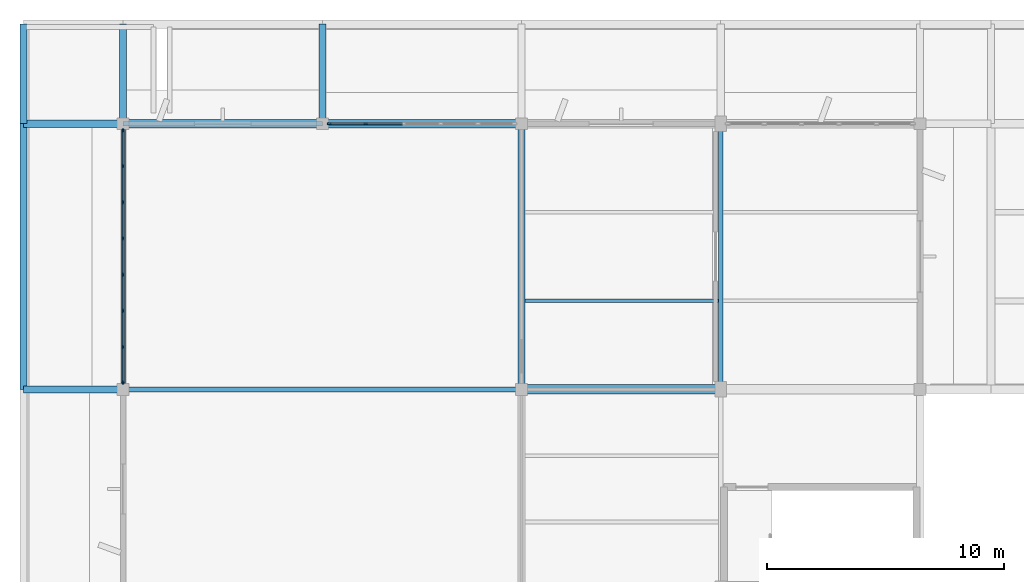
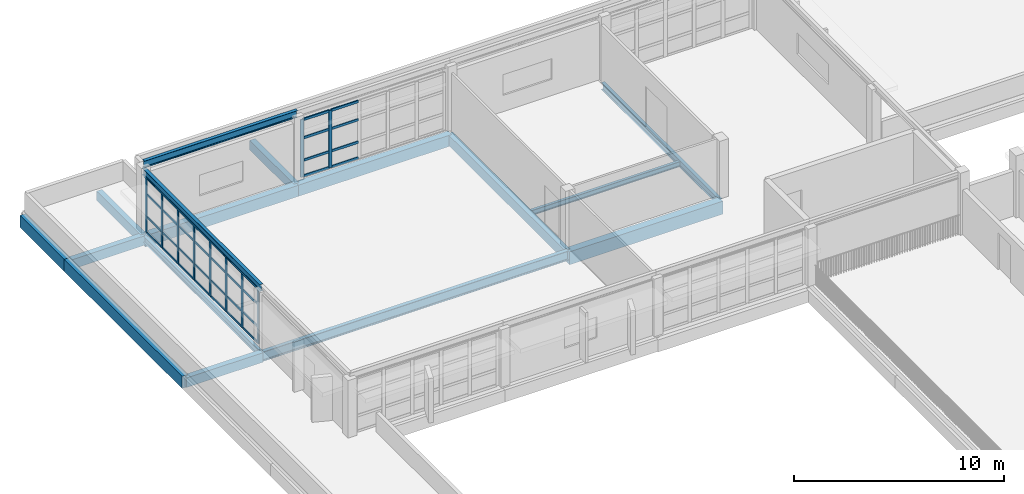
# One storey, part 32 of 92: 46 members, 16 beams, 2 elements without a shape of their own.
"""IFC4 building model written with IfcOpenShell, lengths in metres."""

from ifc_helpers import new_model, si_unit, direction, frame, origin, origin_2d, place, context, subcontext, project, spatial, rectangle, i_section, extrude, material, material_profile, profile_set, type_object, element, aggregate, save


model = new_model("IFC4")

# Units and contexts
model_context = context("Model", 3, precision=1e-05, world=origin(), true_north=direction((0.0, 1.0)))
body_context = subcontext(model_context, "Body", "Model", "MODEL_VIEW")
ifc_project = project(units=[si_unit("LENGTHUNIT", "METRE"), si_unit("AREAUNIT", "SQUARE_METRE"), si_unit("VOLUMEUNIT", "CUBIC_METRE"), si_unit("PLANEANGLEUNIT", "RADIAN"), si_unit("MASSUNIT", "GRAM", prefix="KILO")], contexts=[model_context])

# Site, building, storey
site_placement = place(None, origin())
site = spatial("IfcSite", under=ifc_project, at=site_placement, CompositionType="ELEMENT")
building_placement = place(site_placement, origin())
building = spatial("IfcBuilding", under=site, at=building_placement, Name="Vanh Quang Courtyard School", CompositionType="ELEMENT")
storey_placement = place(building_placement, frame((0.0, 0.0, 7.800048828125)))
storey = spatial("IfcBuildingStorey", under=building, at=storey_placement, Name="L02", CompositionType="ELEMENT", Elevation=7.800048828125)

# Beams
ifc_material_1 = material(Name="Concrete C35/45", Category="concrete")
ifc_material_profile_1 = material_profile(ifc_material_1, rectangle(XDim=0.300048828125, YDim=0.550048828125, at=origin_2d()), Name="RC-BM 300x550")
ifc_profile_set_1 = profile_set([ifc_material_profile_1], Name="Concrete C35/45")
beam_type_1 = type_object("IfcBeamType", Name="BM-RC-300x550", PredefinedType="BEAM", material=ifc_profile_set_1)
for number, where, z_axis, x_axis, name in (
    (1, (0.0, 96.60009765625, -0.554931640625), (1.0, 0.0, 0.0), (0.0, 1.0, 0.0), "Beam B-07 (L02)"),
    (2, (0.0, 107.800048828125, -0.554931640625), (1.0, 0.0, 0.0), (0.0, 1.0, 0.0), "Beam B-07 (L02)"),
    (3, (4.199951171875, 107.800048828125, -0.554931640625), (0.0, 1.0, 0.0), (-1.0, 0.0, 0.0), "Beam B-07 (L02)"),
    (4, (12.60009765625, 107.800048828125, -0.554931640625), (0.0, 1.0, 0.0), (-1.0, 0.0, 0.0), "Beam B-07 (L02)"),
):
    element("IfcBeam", number, at=place(storey_placement, frame(where, z_axis=z_axis, x_axis=x_axis)), inside=storey, type_object=beam_type_1, Name=name, PredefinedType="BEAM", context=body_context, shape_type="SweptSolid", body=[
        extrude(rectangle(XDim=0.300048828125, YDim=0.550048828125, at=origin_2d()), origin(), (0.0, 0.0, 1.0), 4.199951171875),
    ])
ifc_material_profile_2 = material_profile(ifc_material_1, rectangle(XDim=0.300048828125, YDim=0.60009765625, at=origin_2d()), Name="RC-BM 300x600")
ifc_profile_set_2 = profile_set([ifc_material_profile_2], Name="Concrete C35/45")
beam_type_2 = type_object("IfcBeamType", Name="BM-RC-300x600", PredefinedType="BEAM", material=ifc_profile_set_2)
beam_1_placement = place(storey_placement, frame((21.0, 96.60009765625, -0.580078125), z_axis=(0.0, 1.0, 0.0), x_axis=(-1.0, 0.0, 0.0)))
element("IfcBeam", 5, at=beam_1_placement, inside=storey, type_object=beam_type_2, Name="Beam B-06 (L02)", PredefinedType="BEAM", context=body_context, shape_type="SweptSolid", body=[
    extrude(rectangle(XDim=0.300048828125, YDim=0.60009765625, at=origin_2d()), origin(), (0.0, 0.0, 1.0), 11.199951171875),
])
ifc_material_profile_3 = material_profile(ifc_material_1, rectangle(XDim=0.35009765625, YDim=0.64990234375, at=origin_2d()), Name="RC-BM 350x650")
ifc_profile_set_3 = profile_set([ifc_material_profile_3], Name="Concrete C35/45")
beam_type_3 = type_object("IfcBeamType", Name="BM-RC-350x650", PredefinedType="BEAM", material=ifc_profile_set_3)
beam_2_placement = place(storey_placement, frame((4.199951171875, 107.800048828125, -0.60498046875), z_axis=(1.0, 0.0, 0.0), x_axis=(0.0, 1.0, 0.0)))
element("IfcBeam", 6, at=beam_2_placement, inside=storey, type_object=beam_type_3, Name="Beam B-05 (L02)", PredefinedType="BEAM", context=body_context, shape_type="SweptSolid", body=[
    extrude(rectangle(XDim=0.35009765625, YDim=0.64990234375, at=origin_2d()), origin(), (0.0, 0.0, 1.0), 8.400146484375),
])
beam_3_placement = place(storey_placement, frame((12.60009765625, 107.800048828125, -0.60498046875), z_axis=(1.0, 0.0, 0.0), x_axis=(0.0, 1.0, 0.0)))
element("IfcBeam", 7, at=beam_3_placement, inside=storey, type_object=beam_type_3, Name="Beam B-05 (L02)", PredefinedType="BEAM", context=body_context, shape_type="SweptSolid", body=[
    extrude(rectangle(XDim=0.35009765625, YDim=0.64990234375, at=origin_2d()), origin(), (0.0, 0.0, 1.0), 8.39990234375),
])
ifc_material_profile_4 = material_profile(ifc_material_1, rectangle(XDim=0.39990234375, YDim=0.75, at=origin_2d()), Name="RC-BM 400x750")
ifc_profile_set_4 = profile_set([ifc_material_profile_4], Name="Concrete C35/45")
beam_type_4 = type_object("IfcBeamType", Name="BM-RC-400x750", PredefinedType="BEAM", material=ifc_profile_set_4)
beam_4_placement = place(storey_placement, frame((21.0, 96.60009765625, -0.655029296875), z_axis=(1.0, 0.0, 0.0), x_axis=(0.0, 1.0, 0.0)))
element("IfcBeam", 8, at=beam_4_placement, inside=storey, type_object=beam_type_4, Name="Beam B-03 (L02)", PredefinedType="BEAM", context=body_context, shape_type="SweptSolid", body=[
    extrude(rectangle(XDim=0.39990234375, YDim=0.75, at=origin_2d()), origin(), (0.0, 0.0, 1.0), 8.39990234375),
])
ifc_material_profile_5 = material_profile(ifc_material_1, rectangle(XDim=0.300048828125, YDim=0.699951171875, at=origin_2d()), Name="RC-SP 300x700")
ifc_profile_set_5 = profile_set([ifc_material_profile_5], Name="Concrete C35/45")
beam_type_5 = type_object("IfcBeamType", Name="BM-SP-300x700", PredefinedType="SPANDREL", material=ifc_profile_set_5)
beam_5_placement = place(storey_placement, frame((0.0, 96.60009765625, -0.570068359375), z_axis=(0.0, 1.0, 0.0), x_axis=(-1.0, 0.0, 0.0)))
element("IfcBeam", 9, at=beam_5_placement, inside=storey, type_object=beam_type_5, Name="Beam BS-01 (L02)", PredefinedType="SPANDREL", context=body_context, shape_type="SweptSolid", body=[
    extrude(rectangle(XDim=0.300048828125, YDim=0.699951171875, at=origin_2d()), origin(), (0.0, 0.0, 1.0), 11.199951171875),
])
beam_6_placement = place(storey_placement, frame((0.0, 107.800048828125, -0.570068359375), z_axis=(0.0, 1.0, 0.0), x_axis=(-1.0, 0.0, 0.0)))
element("IfcBeam", 10, at=beam_6_placement, inside=storey, type_object=beam_type_5, Name="Beam BS-01 (L02)", PredefinedType="SPANDREL", context=body_context, shape_type="SweptSolid", body=[
    extrude(rectangle(XDim=0.300048828125, YDim=0.699951171875, at=origin_2d()), origin(), (0.0, 0.0, 1.0), 4.199951171875),
])
ifc_material_2 = material(Name="Structural steel EN 10025-2 S355J2", Category="steel")
ifc_material_profile_6 = material_profile(ifc_material_2, i_section(OverallWidth=0.169921875, OverallDepth=0.360107421875, WebThickness=0.008056640625, FlangeThickness=0.0126953125, FilletRadius=0.01806640625, at=origin_2d()), Name="IPE 360")
ifc_profile_set_6 = profile_set([ifc_material_profile_6], Name="Structural steel EN 10025-2 S355J2")
beam_type_6 = type_object("IfcBeamType", Name="BM-STL-IPE360", PredefinedType="BEAM", material=ifc_profile_set_6)
beam_7_placement = place(storey_placement, frame((4.199951171875, 96.60009765625, -0.4599609375), z_axis=(0.0, 1.0, 0.0), x_axis=(-1.0, 0.0, 0.0)))
element("IfcBeam", 11, at=beam_7_placement, inside=storey, type_object=beam_type_6, Name="Beam SB-06 (L02)", PredefinedType="BEAM", context=body_context, shape_type="SweptSolid", body=[
    extrude(i_section(OverallWidth=0.169921875, OverallDepth=0.360107421875, WebThickness=0.008056640625, FlangeThickness=0.0126953125, FilletRadius=0.01806640625, at=origin_2d()), origin(), (0.0, 0.0, 1.0), 11.199951171875),
])
ifc_material_profile_7 = material_profile(ifc_material_2, i_section(OverallWidth=0.179931640625, OverallDepth=0.39990234375, WebThickness=0.008544921875, FlangeThickness=0.013427734375, FilletRadius=0.02099609375, at=origin_2d()), Name="IPE 400")
ifc_profile_set_7 = profile_set([ifc_material_profile_7], Name="Structural steel EN 10025-2 S355J2")
beam_type_7 = type_object("IfcBeamType", Name="BM-STL-IPE400", PredefinedType="BEAM", material=ifc_profile_set_7)
beam_8_placement = place(storey_placement, frame((29.39990234375, 96.60009765625, -0.47998046875), z_axis=(0.0, 1.0, 0.0), x_axis=(-1.0, 0.0, 0.0)))
element("IfcBeam", 12, at=beam_8_placement, inside=storey, type_object=beam_type_7, Name="Beam SB-05 (L02)", PredefinedType="BEAM", context=body_context, shape_type="SweptSolid", body=[
    extrude(i_section(OverallWidth=0.179931640625, OverallDepth=0.39990234375, WebThickness=0.008544921875, FlangeThickness=0.013427734375, FilletRadius=0.02099609375, at=origin_2d()), origin(), (0.0, 0.0, 1.0), 11.199951171875),
])
beam_9_placement = place(storey_placement, frame((4.199951171875, 107.800048828125, 3.800048828125), z_axis=(1.0, 0.0, 0.0), x_axis=(0.0, 1.0, 0.0)))
element("IfcBeam", 13, at=beam_9_placement, inside=storey, type_object=beam_type_7, Name="Beam SB-05 (L02)", PredefinedType="BEAM", context=body_context, shape_type="SweptSolid", body=[
    extrude(i_section(OverallWidth=0.179931640625, OverallDepth=0.39990234375, WebThickness=0.008544921875, FlangeThickness=0.013427734375, FilletRadius=0.02099609375, at=origin_2d()), origin(), (0.0, 0.0, 1.0), 8.400146484375),
])
beam_10_placement = place(storey_placement, frame((4.199951171875, 96.60009765625, 3.39990234375), z_axis=(0.0, 1.0, 0.0), x_axis=(-1.0, 0.0, 0.0)))
element("IfcBeam", 14, at=beam_10_placement, inside=storey, type_object=beam_type_7, Name="Beam SB-05 (L02)", PredefinedType="BEAM", context=body_context, shape_type="SweptSolid", body=[
    extrude(i_section(OverallWidth=0.179931640625, OverallDepth=0.39990234375, WebThickness=0.008544921875, FlangeThickness=0.013427734375, FilletRadius=0.02099609375, at=origin_2d()), origin(), (0.0, 0.0, 1.0), 11.199951171875),
])
ifc_material_profile_8 = material_profile(ifc_material_2, i_section(OverallWidth=0.2099609375, OverallDepth=0.550048828125, WebThickness=0.010986328125, FlangeThickness=0.01708984375, FilletRadius=0.02392578125, at=origin_2d()), Name="IPE 550")
ifc_profile_set_8 = profile_set([ifc_material_profile_8], Name="Structural steel EN 10025-2 S355J2")
beam_type_8 = type_object("IfcBeamType", Name="BM-STL-IPE550", PredefinedType="BEAM", material=ifc_profile_set_8)
beam_11_placement = place(storey_placement, frame((4.199951171875, 96.60009765625, -0.554931640625), z_axis=(1.0, 0.0, 0.0), x_axis=(0.0, 1.0, 0.0)))
element("IfcBeam", 15, at=beam_11_placement, inside=storey, type_object=beam_type_8, Name="Beam SB-02 (L02)", PredefinedType="BEAM", context=body_context, shape_type="SweptSolid", body=[
    extrude(i_section(OverallWidth=0.2099609375, OverallDepth=0.550048828125, WebThickness=0.010986328125, FlangeThickness=0.01708984375, FilletRadius=0.02392578125, at=origin_2d()), origin(), (0.0, 0.0, 1.0), 16.800048828125),
])

# Curtain wall, members
ifc_material_3 = material(Name="Thermally broken aluminium unitised curtain wall", Category="aluminium")
curtain_wall_type_1 = type_object("IfcCurtainWallType", Name="CW-SYS-57", PredefinedType="NOTDEFINED", material=ifc_material_3)
curtain_wall_1_placement = place(storey_placement, origin())
curtain_wall_1 = element("IfcCurtainWall", 16, at=curtain_wall_1_placement, inside=storey, type_object=curtain_wall_type_1, Name="Curtain Wall CW-57 (L02)", PredefinedType="NOTDEFINED")
ifc_material_4 = material(Name="Anodised aluminium 6063-T6", Category="aluminium")
ifc_material_profile_9 = material_profile(ifc_material_4, rectangle(XDim=0.06005859375, YDim=0.159912109375, at=origin_2d()), Name="ALU-MUL 60x160")
ifc_profile_set_9 = profile_set([ifc_material_profile_9], Name="Anodised aluminium 6063-T6")
member_type_1 = type_object("IfcMemberType", Name="CW-MUL-60x160", PredefinedType="MULLION", material=ifc_profile_set_9)
member_1_placement = place(storey_placement, frame((4.199951171875, 96.887939453125, 0.0), z_axis=(0.0, 0.0, 1.0), x_axis=(-1.0, 0.0, 0.0)))
member_1 = element("IfcMember", 17, at=member_1_placement, type_object=member_type_1, Name="CW-57 mullion 1", PredefinedType="MULLION", context=body_context, shape_type="SweptSolid", body=[
    extrude(rectangle(XDim=0.06005859375, YDim=0.159912109375, at=origin_2d()), origin(), (0.0, 0.0, 1.0), 3.199951171875),
])
member_2_placement = place(storey_placement, frame((4.199951171875, 98.38427734375, 0.0), z_axis=(0.0, 0.0, 1.0), x_axis=(-1.0, 0.0, 0.0)))
member_2 = element("IfcMember", 18, at=member_2_placement, type_object=member_type_1, Name="CW-57 mullion 2", PredefinedType="MULLION", context=body_context, shape_type="SweptSolid", body=[
    extrude(rectangle(XDim=0.06005859375, YDim=0.159912109375, at=origin_2d()), origin(), (0.0, 0.0, 1.0), 3.199951171875),
])
member_3_placement = place(storey_placement, frame((4.199951171875, 99.91064453125, 0.0), z_axis=(0.0, 0.0, 1.0), x_axis=(-1.0, 0.0, 0.0)))
member_3 = element("IfcMember", 19, at=member_3_placement, type_object=member_type_1, Name="CW-57 mullion 3", PredefinedType="MULLION", context=body_context, shape_type="SweptSolid", body=[
    extrude(rectangle(XDim=0.06005859375, YDim=0.159912109375, at=origin_2d()), origin(), (0.0, 0.0, 1.0), 3.199951171875),
])
member_4_placement = place(storey_placement, frame((4.199951171875, 101.436767578125, 0.0), z_axis=(0.0, 0.0, 1.0), x_axis=(-1.0, 0.0, 0.0)))
member_4 = element("IfcMember", 20, at=member_4_placement, type_object=member_type_1, Name="CW-57 mullion 4", PredefinedType="MULLION", context=body_context, shape_type="SweptSolid", body=[
    extrude(rectangle(XDim=0.06005859375, YDim=0.159912109375, at=origin_2d()), origin(), (0.0, 0.0, 1.0), 3.199951171875),
])
member_5_placement = place(storey_placement, frame((4.199951171875, 102.963134765625, 0.0), z_axis=(0.0, 0.0, 1.0), x_axis=(-1.0, 0.0, 0.0)))
member_5 = element("IfcMember", 21, at=member_5_placement, type_object=member_type_1, Name="CW-57 mullion 5", PredefinedType="MULLION", context=body_context, shape_type="SweptSolid", body=[
    extrude(rectangle(XDim=0.06005859375, YDim=0.159912109375, at=origin_2d()), origin(), (0.0, 0.0, 1.0), 3.199951171875),
])
member_6_placement = place(storey_placement, frame((4.199951171875, 104.489501953125, 0.0), z_axis=(0.0, 0.0, 1.0), x_axis=(-1.0, 0.0, 0.0)))
member_6 = element("IfcMember", 22, at=member_6_placement, type_object=member_type_1, Name="CW-57 mullion 6", PredefinedType="MULLION", context=body_context, shape_type="SweptSolid", body=[
    extrude(rectangle(XDim=0.06005859375, YDim=0.159912109375, at=origin_2d()), origin(), (0.0, 0.0, 1.0), 3.199951171875),
])
member_7_placement = place(storey_placement, frame((4.199951171875, 106.015625, 0.0), z_axis=(0.0, 0.0, 1.0), x_axis=(-1.0, 0.0, 0.0)))
member_7 = element("IfcMember", 23, at=member_7_placement, type_object=member_type_1, Name="CW-57 mullion 7", PredefinedType="MULLION", context=body_context, shape_type="SweptSolid", body=[
    extrude(rectangle(XDim=0.06005859375, YDim=0.159912109375, at=origin_2d()), origin(), (0.0, 0.0, 1.0), 3.199951171875),
])
member_8_placement = place(storey_placement, frame((4.199951171875, 107.511962890625, 0.0), z_axis=(0.0, 0.0, 1.0), x_axis=(-1.0, 0.0, 0.0)))
member_8 = element("IfcMember", 24, at=member_8_placement, type_object=member_type_1, Name="CW-57 mullion 8", PredefinedType="MULLION", context=body_context, shape_type="SweptSolid", body=[
    extrude(rectangle(XDim=0.06005859375, YDim=0.159912109375, at=origin_2d()), origin(), (0.0, 0.0, 1.0), 3.199951171875),
])

curtain_wall_type_2 = type_object("IfcCurtainWallType", Name="CW-SYS-58", PredefinedType="NOTDEFINED", material=ifc_material_3)
curtain_wall_2_placement = place(storey_placement, origin())
curtain_wall_2 = element("IfcCurtainWall", 25, at=curtain_wall_2_placement, inside=storey, type_object=curtain_wall_type_2, Name="Curtain Wall CW-58 (L02)", PredefinedType="NOTDEFINED")
ifc_material_profile_10 = material_profile(ifc_material_4, rectangle(XDim=0.070068359375, YDim=0.179931640625, at=origin_2d()), Name="ALU-MUL 70x180")
ifc_profile_set_10 = profile_set([ifc_material_profile_10], Name="Anodised aluminium 6063-T6")
member_type_2 = type_object("IfcMemberType", Name="CW-MUL-70x180", PredefinedType="MULLION", material=ifc_profile_set_10)
member_9_placement = place(storey_placement, frame((12.89306640625, 107.800048828125, 0.0), z_axis=(0.0, 0.0, 1.0), x_axis=(0.0, 1.0, 0.0)))
member_9 = element("IfcMember", 26, at=member_9_placement, type_object=member_type_2, Name="CW-58 mullion 1", PredefinedType="MULLION", context=body_context, shape_type="SweptSolid", body=[
    extrude(rectangle(XDim=0.070068359375, YDim=0.179931640625, at=origin_2d()), origin(), (0.0, 0.0, 1.0), 3.33984375),
])
member_10_placement = place(storey_placement, frame((14.434814453125, 107.800048828125, 0.0), z_axis=(0.0, 0.0, 1.0), x_axis=(0.0, 1.0, 0.0)))
member_10 = element("IfcMember", 27, at=member_10_placement, type_object=member_type_2, Name="CW-58 mullion 2", PredefinedType="MULLION", context=body_context, shape_type="SweptSolid", body=[
    extrude(rectangle(XDim=0.070068359375, YDim=0.179931640625, at=origin_2d()), origin(), (0.0, 0.0, 1.0), 3.33984375),
])

# Member
ifc_material_profile_11 = material_profile(ifc_material_4, rectangle(XDim=0.06005859375, YDim=0.1201171875, at=origin_2d()), Name="ALU-TRN 60x120")
ifc_profile_set_11 = profile_set([ifc_material_profile_11], Name="Anodised aluminium 6063-T6")
member_type_3 = type_object("IfcMemberType", Name="CW-TRN-60x120", PredefinedType="USERDEFINED", material=ifc_profile_set_11)
member_11_placement = place(storey_placement, frame((4.199951171875, 96.91796875, 0.030029296875), z_axis=(0.0, 1.0, 0.0), x_axis=(-1.0, 0.0, 0.0)))
member_11 = element("IfcMember", 28, at=member_11_placement, type_object=member_type_3, Name="CW-57 transom 1.1", ObjectType="TRANSOM", PredefinedType="USERDEFINED", context=body_context, shape_type="SweptSolid", body=[
    extrude(rectangle(XDim=0.06005859375, YDim=0.1201171875, at=origin_2d()), origin(), (0.0, 0.0, 1.0), 1.436279296875),
])

member_12_placement = place(storey_placement, frame((4.199951171875, 96.91796875, 0.949951171875), z_axis=(0.0, 1.0, 0.0), x_axis=(-1.0, 0.0, 0.0)))
member_12 = element("IfcMember", 29, at=member_12_placement, type_object=member_type_3, Name="CW-57 transom 1.2", ObjectType="TRANSOM", PredefinedType="USERDEFINED", context=body_context, shape_type="SweptSolid", body=[
    extrude(rectangle(XDim=0.06005859375, YDim=0.1201171875, at=origin_2d()), origin(), (0.0, 0.0, 1.0), 1.436279296875),
])

member_13_placement = place(storey_placement, frame((4.199951171875, 96.91796875, 2.25), z_axis=(0.0, 1.0, 0.0), x_axis=(-1.0, 0.0, 0.0)))
member_13 = element("IfcMember", 30, at=member_13_placement, type_object=member_type_3, Name="CW-57 transom 1.3", ObjectType="TRANSOM", PredefinedType="USERDEFINED", context=body_context, shape_type="SweptSolid", body=[
    extrude(rectangle(XDim=0.06005859375, YDim=0.1201171875, at=origin_2d()), origin(), (0.0, 0.0, 1.0), 1.436279296875),
])

member_14_placement = place(storey_placement, frame((4.199951171875, 96.91796875, 3.169921875), z_axis=(0.0, 1.0, 0.0), x_axis=(-1.0, 0.0, 0.0)))
member_14 = element("IfcMember", 31, at=member_14_placement, type_object=member_type_3, Name="CW-57 transom 1.4", ObjectType="TRANSOM", PredefinedType="USERDEFINED", context=body_context, shape_type="SweptSolid", body=[
    extrude(rectangle(XDim=0.06005859375, YDim=0.1201171875, at=origin_2d()), origin(), (0.0, 0.0, 1.0), 1.436279296875),
])

member_15_placement = place(storey_placement, frame((4.199951171875, 98.414306640625, 0.030029296875), z_axis=(0.0, 1.0, 0.0), x_axis=(-1.0, 0.0, 0.0)))
member_15 = element("IfcMember", 32, at=member_15_placement, type_object=member_type_3, Name="CW-57 transom 2.1", ObjectType="TRANSOM", PredefinedType="USERDEFINED", context=body_context, shape_type="SweptSolid", body=[
    extrude(rectangle(XDim=0.06005859375, YDim=0.1201171875, at=origin_2d()), origin(), (0.0, 0.0, 1.0), 1.46630859375),
])

member_16_placement = place(storey_placement, frame((4.199951171875, 98.414306640625, 0.949951171875), z_axis=(0.0, 1.0, 0.0), x_axis=(-1.0, 0.0, 0.0)))
member_16 = element("IfcMember", 33, at=member_16_placement, type_object=member_type_3, Name="CW-57 transom 2.2", ObjectType="TRANSOM", PredefinedType="USERDEFINED", context=body_context, shape_type="SweptSolid", body=[
    extrude(rectangle(XDim=0.06005859375, YDim=0.1201171875, at=origin_2d()), origin(), (0.0, 0.0, 1.0), 1.46630859375),
])

member_17_placement = place(storey_placement, frame((4.199951171875, 98.414306640625, 2.25), z_axis=(0.0, 1.0, 0.0), x_axis=(-1.0, 0.0, 0.0)))
member_17 = element("IfcMember", 34, at=member_17_placement, type_object=member_type_3, Name="CW-57 transom 2.3", ObjectType="TRANSOM", PredefinedType="USERDEFINED", context=body_context, shape_type="SweptSolid", body=[
    extrude(rectangle(XDim=0.06005859375, YDim=0.1201171875, at=origin_2d()), origin(), (0.0, 0.0, 1.0), 1.46630859375),
])

member_18_placement = place(storey_placement, frame((4.199951171875, 98.414306640625, 3.169921875), z_axis=(0.0, 1.0, 0.0), x_axis=(-1.0, 0.0, 0.0)))
member_18 = element("IfcMember", 35, at=member_18_placement, type_object=member_type_3, Name="CW-57 transom 2.4", ObjectType="TRANSOM", PredefinedType="USERDEFINED", context=body_context, shape_type="SweptSolid", body=[
    extrude(rectangle(XDim=0.06005859375, YDim=0.1201171875, at=origin_2d()), origin(), (0.0, 0.0, 1.0), 1.46630859375),
])

member_19_placement = place(storey_placement, frame((4.199951171875, 99.940673828125, 0.030029296875), z_axis=(0.0, 1.0, 0.0), x_axis=(-1.0, 0.0, 0.0)))
member_19 = element("IfcMember", 36, at=member_19_placement, type_object=member_type_3, Name="CW-57 transom 3.1", ObjectType="TRANSOM", PredefinedType="USERDEFINED", context=body_context, shape_type="SweptSolid", body=[
    extrude(rectangle(XDim=0.06005859375, YDim=0.1201171875, at=origin_2d()), origin(), (0.0, 0.0, 1.0), 1.466064453125),
])

member_20_placement = place(storey_placement, frame((4.199951171875, 99.940673828125, 0.949951171875), z_axis=(0.0, 1.0, 0.0), x_axis=(-1.0, 0.0, 0.0)))
member_20 = element("IfcMember", 37, at=member_20_placement, type_object=member_type_3, Name="CW-57 transom 3.2", ObjectType="TRANSOM", PredefinedType="USERDEFINED", context=body_context, shape_type="SweptSolid", body=[
    extrude(rectangle(XDim=0.06005859375, YDim=0.1201171875, at=origin_2d()), origin(), (0.0, 0.0, 1.0), 1.466064453125),
])

member_21_placement = place(storey_placement, frame((4.199951171875, 99.940673828125, 2.25), z_axis=(0.0, 1.0, 0.0), x_axis=(-1.0, 0.0, 0.0)))
member_21 = element("IfcMember", 38, at=member_21_placement, type_object=member_type_3, Name="CW-57 transom 3.3", ObjectType="TRANSOM", PredefinedType="USERDEFINED", context=body_context, shape_type="SweptSolid", body=[
    extrude(rectangle(XDim=0.06005859375, YDim=0.1201171875, at=origin_2d()), origin(), (0.0, 0.0, 1.0), 1.466064453125),
])

member_22_placement = place(storey_placement, frame((4.199951171875, 99.940673828125, 3.169921875), z_axis=(0.0, 1.0, 0.0), x_axis=(-1.0, 0.0, 0.0)))
member_22 = element("IfcMember", 39, at=member_22_placement, type_object=member_type_3, Name="CW-57 transom 3.4", ObjectType="TRANSOM", PredefinedType="USERDEFINED", context=body_context, shape_type="SweptSolid", body=[
    extrude(rectangle(XDim=0.06005859375, YDim=0.1201171875, at=origin_2d()), origin(), (0.0, 0.0, 1.0), 1.466064453125),
])

member_23_placement = place(storey_placement, frame((4.199951171875, 101.466796875, 0.030029296875), z_axis=(0.0, 1.0, 0.0), x_axis=(-1.0, 0.0, 0.0)))
member_23 = element("IfcMember", 40, at=member_23_placement, type_object=member_type_3, Name="CW-57 transom 4.1", ObjectType="TRANSOM", PredefinedType="USERDEFINED", context=body_context, shape_type="SweptSolid", body=[
    extrude(rectangle(XDim=0.06005859375, YDim=0.1201171875, at=origin_2d()), origin(), (0.0, 0.0, 1.0), 1.46630859375),
])

member_24_placement = place(storey_placement, frame((4.199951171875, 101.466796875, 0.949951171875), z_axis=(0.0, 1.0, 0.0), x_axis=(-1.0, 0.0, 0.0)))
member_24 = element("IfcMember", 41, at=member_24_placement, type_object=member_type_3, Name="CW-57 transom 4.2", ObjectType="TRANSOM", PredefinedType="USERDEFINED", context=body_context, shape_type="SweptSolid", body=[
    extrude(rectangle(XDim=0.06005859375, YDim=0.1201171875, at=origin_2d()), origin(), (0.0, 0.0, 1.0), 1.46630859375),
])

member_25_placement = place(storey_placement, frame((4.199951171875, 101.466796875, 2.25), z_axis=(0.0, 1.0, 0.0), x_axis=(-1.0, 0.0, 0.0)))
member_25 = element("IfcMember", 42, at=member_25_placement, type_object=member_type_3, Name="CW-57 transom 4.3", ObjectType="TRANSOM", PredefinedType="USERDEFINED", context=body_context, shape_type="SweptSolid", body=[
    extrude(rectangle(XDim=0.06005859375, YDim=0.1201171875, at=origin_2d()), origin(), (0.0, 0.0, 1.0), 1.46630859375),
])

member_26_placement = place(storey_placement, frame((4.199951171875, 101.466796875, 3.169921875), z_axis=(0.0, 1.0, 0.0), x_axis=(-1.0, 0.0, 0.0)))
member_26 = element("IfcMember", 43, at=member_26_placement, type_object=member_type_3, Name="CW-57 transom 4.4", ObjectType="TRANSOM", PredefinedType="USERDEFINED", context=body_context, shape_type="SweptSolid", body=[
    extrude(rectangle(XDim=0.06005859375, YDim=0.1201171875, at=origin_2d()), origin(), (0.0, 0.0, 1.0), 1.46630859375),
])

member_27_placement = place(storey_placement, frame((4.199951171875, 102.9931640625, 0.030029296875), z_axis=(0.0, 1.0, 0.0), x_axis=(-1.0, 0.0, 0.0)))
member_27 = element("IfcMember", 44, at=member_27_placement, type_object=member_type_3, Name="CW-57 transom 5.1", ObjectType="TRANSOM", PredefinedType="USERDEFINED", context=body_context, shape_type="SweptSolid", body=[
    extrude(rectangle(XDim=0.06005859375, YDim=0.1201171875, at=origin_2d()), origin(), (0.0, 0.0, 1.0), 1.46630859375),
])

member_28_placement = place(storey_placement, frame((4.199951171875, 102.9931640625, 0.949951171875), z_axis=(0.0, 1.0, 0.0), x_axis=(-1.0, 0.0, 0.0)))
member_28 = element("IfcMember", 45, at=member_28_placement, type_object=member_type_3, Name="CW-57 transom 5.2", ObjectType="TRANSOM", PredefinedType="USERDEFINED", context=body_context, shape_type="SweptSolid", body=[
    extrude(rectangle(XDim=0.06005859375, YDim=0.1201171875, at=origin_2d()), origin(), (0.0, 0.0, 1.0), 1.46630859375),
])

member_29_placement = place(storey_placement, frame((4.199951171875, 102.9931640625, 2.25), z_axis=(0.0, 1.0, 0.0), x_axis=(-1.0, 0.0, 0.0)))
member_29 = element("IfcMember", 46, at=member_29_placement, type_object=member_type_3, Name="CW-57 transom 5.3", ObjectType="TRANSOM", PredefinedType="USERDEFINED", context=body_context, shape_type="SweptSolid", body=[
    extrude(rectangle(XDim=0.06005859375, YDim=0.1201171875, at=origin_2d()), origin(), (0.0, 0.0, 1.0), 1.46630859375),
])

member_30_placement = place(storey_placement, frame((4.199951171875, 102.9931640625, 3.169921875), z_axis=(0.0, 1.0, 0.0), x_axis=(-1.0, 0.0, 0.0)))
member_30 = element("IfcMember", 47, at=member_30_placement, type_object=member_type_3, Name="CW-57 transom 5.4", ObjectType="TRANSOM", PredefinedType="USERDEFINED", context=body_context, shape_type="SweptSolid", body=[
    extrude(rectangle(XDim=0.06005859375, YDim=0.1201171875, at=origin_2d()), origin(), (0.0, 0.0, 1.0), 1.46630859375),
])

member_31_placement = place(storey_placement, frame((4.199951171875, 104.51953125, 0.030029296875), z_axis=(0.0, 1.0, 0.0), x_axis=(-1.0, 0.0, 0.0)))
member_31 = element("IfcMember", 48, at=member_31_placement, type_object=member_type_3, Name="CW-57 transom 6.1", ObjectType="TRANSOM", PredefinedType="USERDEFINED", context=body_context, shape_type="SweptSolid", body=[
    extrude(rectangle(XDim=0.06005859375, YDim=0.1201171875, at=origin_2d()), origin(), (0.0, 0.0, 1.0), 1.466064453125),
])

member_32_placement = place(storey_placement, frame((4.199951171875, 104.51953125, 0.949951171875), z_axis=(0.0, 1.0, 0.0), x_axis=(-1.0, 0.0, 0.0)))
member_32 = element("IfcMember", 49, at=member_32_placement, type_object=member_type_3, Name="CW-57 transom 6.2", ObjectType="TRANSOM", PredefinedType="USERDEFINED", context=body_context, shape_type="SweptSolid", body=[
    extrude(rectangle(XDim=0.06005859375, YDim=0.1201171875, at=origin_2d()), origin(), (0.0, 0.0, 1.0), 1.466064453125),
])

member_33_placement = place(storey_placement, frame((4.199951171875, 104.51953125, 2.25), z_axis=(0.0, 1.0, 0.0), x_axis=(-1.0, 0.0, 0.0)))
member_33 = element("IfcMember", 50, at=member_33_placement, type_object=member_type_3, Name="CW-57 transom 6.3", ObjectType="TRANSOM", PredefinedType="USERDEFINED", context=body_context, shape_type="SweptSolid", body=[
    extrude(rectangle(XDim=0.06005859375, YDim=0.1201171875, at=origin_2d()), origin(), (0.0, 0.0, 1.0), 1.466064453125),
])

member_34_placement = place(storey_placement, frame((4.199951171875, 104.51953125, 3.169921875), z_axis=(0.0, 1.0, 0.0), x_axis=(-1.0, 0.0, 0.0)))
member_34 = element("IfcMember", 51, at=member_34_placement, type_object=member_type_3, Name="CW-57 transom 6.4", ObjectType="TRANSOM", PredefinedType="USERDEFINED", context=body_context, shape_type="SweptSolid", body=[
    extrude(rectangle(XDim=0.06005859375, YDim=0.1201171875, at=origin_2d()), origin(), (0.0, 0.0, 1.0), 1.466064453125),
])

member_35_placement = place(storey_placement, frame((4.199951171875, 106.045654296875, 0.030029296875), z_axis=(0.0, 1.0, 0.0), x_axis=(-1.0, 0.0, 0.0)))
member_35 = element("IfcMember", 52, at=member_35_placement, type_object=member_type_3, Name="CW-57 transom 7.1", ObjectType="TRANSOM", PredefinedType="USERDEFINED", context=body_context, shape_type="SweptSolid", body=[
    extrude(rectangle(XDim=0.06005859375, YDim=0.1201171875, at=origin_2d()), origin(), (0.0, 0.0, 1.0), 1.436279296875),
])

member_36_placement = place(storey_placement, frame((4.199951171875, 106.045654296875, 0.949951171875), z_axis=(0.0, 1.0, 0.0), x_axis=(-1.0, 0.0, 0.0)))
member_36 = element("IfcMember", 53, at=member_36_placement, type_object=member_type_3, Name="CW-57 transom 7.2", ObjectType="TRANSOM", PredefinedType="USERDEFINED", context=body_context, shape_type="SweptSolid", body=[
    extrude(rectangle(XDim=0.06005859375, YDim=0.1201171875, at=origin_2d()), origin(), (0.0, 0.0, 1.0), 1.436279296875),
])

member_37_placement = place(storey_placement, frame((4.199951171875, 106.045654296875, 2.25), z_axis=(0.0, 1.0, 0.0), x_axis=(-1.0, 0.0, 0.0)))
member_37 = element("IfcMember", 54, at=member_37_placement, type_object=member_type_3, Name="CW-57 transom 7.3", ObjectType="TRANSOM", PredefinedType="USERDEFINED", context=body_context, shape_type="SweptSolid", body=[
    extrude(rectangle(XDim=0.06005859375, YDim=0.1201171875, at=origin_2d()), origin(), (0.0, 0.0, 1.0), 1.436279296875),
])

member_38_placement = place(storey_placement, frame((4.199951171875, 106.045654296875, 3.169921875), z_axis=(0.0, 1.0, 0.0), x_axis=(-1.0, 0.0, 0.0)))
member_38 = element("IfcMember", 55, at=member_38_placement, type_object=member_type_3, Name="CW-57 transom 7.4", ObjectType="TRANSOM", PredefinedType="USERDEFINED", context=body_context, shape_type="SweptSolid", body=[
    extrude(rectangle(XDim=0.06005859375, YDim=0.1201171875, at=origin_2d()), origin(), (0.0, 0.0, 1.0), 1.436279296875),
])

aggregate(curtain_wall_1, [member_1, member_2, member_3, member_4, member_5, member_6, member_7, member_8, member_11, member_12, member_13, member_14, member_15, member_16, member_17, member_18, member_19, member_20, member_21, member_22, member_23, member_24, member_25, member_26, member_27, member_28, member_29, member_30, member_31, member_32, member_33, member_34, member_35, member_36, member_37, member_38])

ifc_material_profile_12 = material_profile(ifc_material_4, rectangle(XDim=0.070068359375, YDim=0.139892578125, at=origin_2d()), Name="ALU-TRN 70x140")
ifc_profile_set_12 = profile_set([ifc_material_profile_12], Name="Anodised aluminium 6063-T6")
member_type_4 = type_object("IfcMemberType", Name="CW-TRN-70x140", PredefinedType="USERDEFINED", material=ifc_profile_set_12)
member_39_placement = place(storey_placement, frame((12.927978515625, 107.800048828125, 0.034912109375), z_axis=(1.0, 0.0, 0.0), x_axis=(0.0, 1.0, 0.0)))
member_39 = element("IfcMember", 56, at=member_39_placement, type_object=member_type_4, Name="CW-58 transom 1.1", ObjectType="TRANSOM", PredefinedType="USERDEFINED", context=body_context, shape_type="SweptSolid", body=[
    extrude(rectangle(XDim=0.070068359375, YDim=0.139892578125, at=origin_2d()), origin(), (0.0, 0.0, 1.0), 1.471923828125),
])

member_40_placement = place(storey_placement, frame((12.927978515625, 107.800048828125, 0.949951171875), z_axis=(1.0, 0.0, 0.0), x_axis=(0.0, 1.0, 0.0)))
member_40 = element("IfcMember", 57, at=member_40_placement, type_object=member_type_4, Name="CW-58 transom 1.2", ObjectType="TRANSOM", PredefinedType="USERDEFINED", context=body_context, shape_type="SweptSolid", body=[
    extrude(rectangle(XDim=0.070068359375, YDim=0.139892578125, at=origin_2d()), origin(), (0.0, 0.0, 1.0), 1.471923828125),
])

member_41_placement = place(storey_placement, frame((12.927978515625, 107.800048828125, 2.25), z_axis=(1.0, 0.0, 0.0), x_axis=(0.0, 1.0, 0.0)))
member_41 = element("IfcMember", 58, at=member_41_placement, type_object=member_type_4, Name="CW-58 transom 1.3", ObjectType="TRANSOM", PredefinedType="USERDEFINED", context=body_context, shape_type="SweptSolid", body=[
    extrude(rectangle(XDim=0.070068359375, YDim=0.139892578125, at=origin_2d()), origin(), (0.0, 0.0, 1.0), 1.471923828125),
])

member_42_placement = place(storey_placement, frame((12.927978515625, 107.800048828125, 3.304931640625), z_axis=(1.0, 0.0, 0.0), x_axis=(0.0, 1.0, 0.0)))
member_42 = element("IfcMember", 59, at=member_42_placement, type_object=member_type_4, Name="CW-58 transom 1.4", ObjectType="TRANSOM", PredefinedType="USERDEFINED", context=body_context, shape_type="SweptSolid", body=[
    extrude(rectangle(XDim=0.070068359375, YDim=0.139892578125, at=origin_2d()), origin(), (0.0, 0.0, 1.0), 1.471923828125),
])

member_43_placement = place(storey_placement, frame((14.4697265625, 107.800048828125, 0.034912109375), z_axis=(1.0, 0.0, 0.0), x_axis=(0.0, 1.0, 0.0)))
member_43 = element("IfcMember", 60, at=member_43_placement, type_object=member_type_4, Name="CW-58 transom 2.1", ObjectType="TRANSOM", PredefinedType="USERDEFINED", context=body_context, shape_type="SweptSolid", body=[
    extrude(rectangle(XDim=0.070068359375, YDim=0.139892578125, at=origin_2d()), origin(), (0.0, 0.0, 1.0), 1.5068359375),
])

member_44_placement = place(storey_placement, frame((14.4697265625, 107.800048828125, 0.949951171875), z_axis=(1.0, 0.0, 0.0), x_axis=(0.0, 1.0, 0.0)))
member_44 = element("IfcMember", 61, at=member_44_placement, type_object=member_type_4, Name="CW-58 transom 2.2", ObjectType="TRANSOM", PredefinedType="USERDEFINED", context=body_context, shape_type="SweptSolid", body=[
    extrude(rectangle(XDim=0.070068359375, YDim=0.139892578125, at=origin_2d()), origin(), (0.0, 0.0, 1.0), 1.5068359375),
])

member_45_placement = place(storey_placement, frame((14.4697265625, 107.800048828125, 2.25), z_axis=(1.0, 0.0, 0.0), x_axis=(0.0, 1.0, 0.0)))
member_45 = element("IfcMember", 62, at=member_45_placement, type_object=member_type_4, Name="CW-58 transom 2.3", ObjectType="TRANSOM", PredefinedType="USERDEFINED", context=body_context, shape_type="SweptSolid", body=[
    extrude(rectangle(XDim=0.070068359375, YDim=0.139892578125, at=origin_2d()), origin(), (0.0, 0.0, 1.0), 1.5068359375),
])

member_46_placement = place(storey_placement, frame((14.4697265625, 107.800048828125, 3.304931640625), z_axis=(1.0, 0.0, 0.0), x_axis=(0.0, 1.0, 0.0)))
member_46 = element("IfcMember", 63, at=member_46_placement, type_object=member_type_4, Name="CW-58 transom 2.4", ObjectType="TRANSOM", PredefinedType="USERDEFINED", context=body_context, shape_type="SweptSolid", body=[
    extrude(rectangle(XDim=0.070068359375, YDim=0.139892578125, at=origin_2d()), origin(), (0.0, 0.0, 1.0), 1.5068359375),
])

aggregate(curtain_wall_2, [member_9, member_10, member_39, member_40, member_41, member_42, member_43, member_44, member_45, member_46])

# Beam
ifc_material_profile_13 = material_profile(ifc_material_2, i_section(OverallWidth=0.14990234375, OverallDepth=0.300048828125, WebThickness=0.007080078125, FlangeThickness=0.0107421875, FilletRadius=0.014892578125, at=origin_2d()), Name="IPE 300")
ifc_profile_set_13 = profile_set([ifc_material_profile_13], Name="Structural steel EN 10025-2 S355J2")
beam_type_9 = type_object("IfcBeamType", Name="JST-STL-IPE300", PredefinedType="JOIST", material=ifc_profile_set_13)
beam_12_placement = place(storey_placement, frame((21.14990234375, 100.333251953125, -0.429931640625), z_axis=(1.0, 0.0, 0.0), x_axis=(0.0, 1.0, 0.0)))
element("IfcBeam", 64, at=beam_12_placement, inside=storey, type_object=beam_type_9, Name="Beam SJ-02 (L02)", PredefinedType="JOIST", context=body_context, shape_type="SweptSolid", body=[
    extrude(i_section(OverallWidth=0.14990234375, OverallDepth=0.300048828125, WebThickness=0.007080078125, FlangeThickness=0.0107421875, FilletRadius=0.014892578125, at=origin_2d()), origin(), (0.0, 0.0, 1.0), 8.16015625),
])

save(model, "model.ifc")
